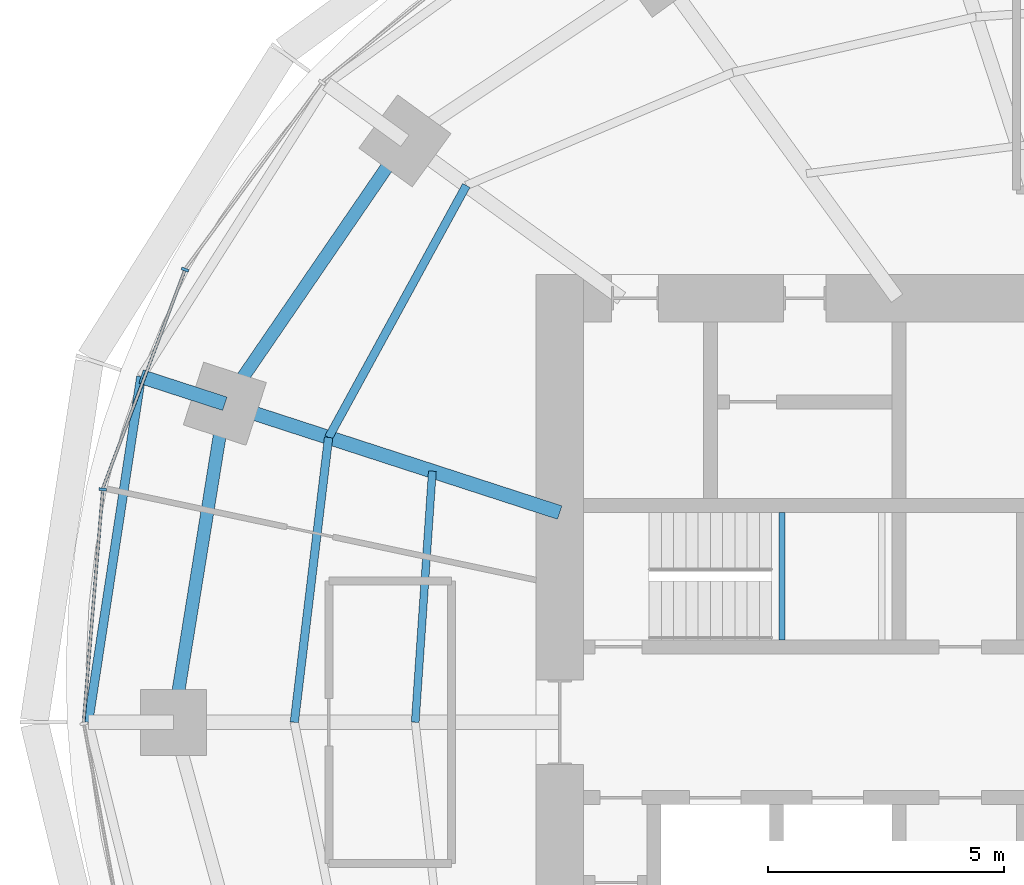
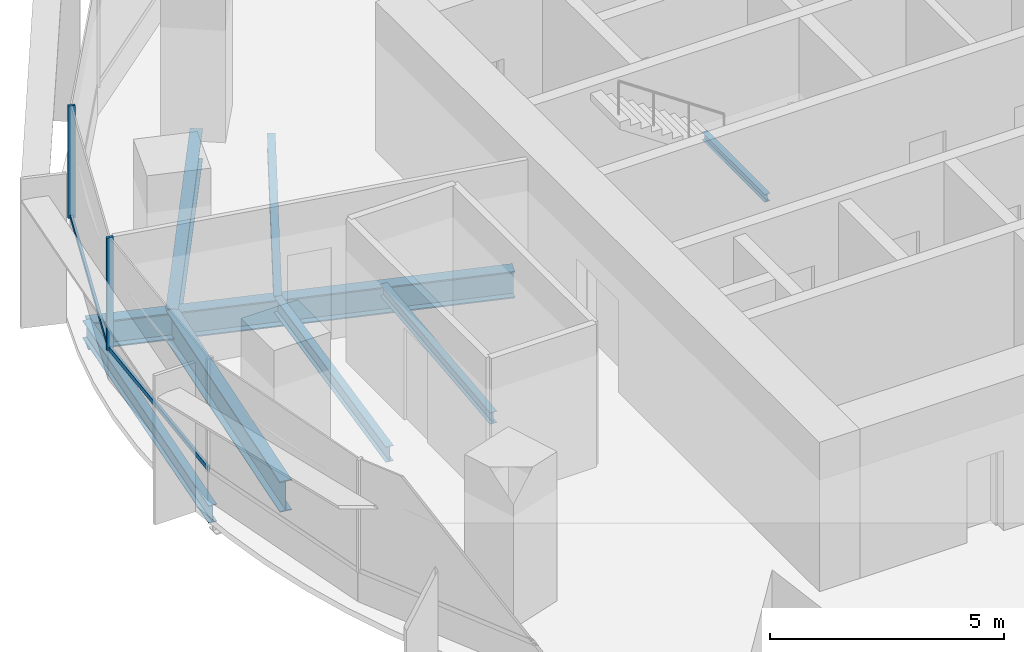
# One storey, part 4 of 14: 9 beams, 4 members, 1 element without a shape of its own.
"""IFC4 building model written with IfcOpenShell, lengths in metres."""

from ifc_helpers import new_model, si_unit, direction, frame, origin, origin_2d, place, context, subcontext, project, spatial, rectangle, i_section, extrude, material, material_profile, profile_set, type_object, element, aggregate, save


model = new_model("IFC4")

# Units and contexts
model_context = context("Model", 3, precision=1e-05, world=origin(), true_north=direction((0.0, 1.0)))
body_context = subcontext(model_context, "Body", "Model", "MODEL_VIEW")
ifc_project = project(units=[si_unit("LENGTHUNIT", "METRE"), si_unit("AREAUNIT", "SQUARE_METRE"), si_unit("VOLUMEUNIT", "CUBIC_METRE"), si_unit("PLANEANGLEUNIT", "RADIAN"), si_unit("MASSUNIT", "GRAM", prefix="KILO")], contexts=[model_context])

# Site, building, storey
site_placement = place(None, origin())
site = spatial("IfcSite", under=ifc_project, at=site_placement, CompositionType="ELEMENT")
building_placement = place(site_placement, origin())
building = spatial("IfcBuilding", under=site, at=building_placement, Name="Marramba Exchange Tower", CompositionType="ELEMENT")
storey_placement = place(building_placement, frame((0.0, 0.0, 218.89990234375)))
storey = spatial("IfcBuildingStorey", under=building, at=storey_placement, Name="L53", CompositionType="ELEMENT", Elevation=218.89990234375)

# Beams
ifc_material_1 = material(Name="Steel AS/NZS 3679.2 grade 300", Category="steel")
ifc_material_profile_1 = material_profile(ifc_material_1, i_section(OverallWidth=0.300048828125, OverallDepth=0.699951171875, WebThickness=0.010009765625, FlangeThickness=0.031982421875, at=origin_2d()), Name="700WB173")
ifc_profile_set_1 = profile_set([ifc_material_profile_1], Name="Steel AS/NZS 3679.2 grade 300")
beam_type_1 = type_object("IfcBeamType", Name="Cantilever girder 700WB173", PredefinedType="BEAM", material=ifc_profile_set_1)
beam_1_placement = place(storey_placement, frame((-20.808349609375, 6.760986328125, -0.510009765625), z_axis=(-0.951047511993, 0.309044705395, 0.0), x_axis=(-0.309044705395, -0.951047511993, 0.0)))
element("IfcBeam", 1, at=beam_1_placement, inside=storey, type_object=beam_type_1, Name="Cantilever girder L53 TC10", PredefinedType="BEAM", context=body_context, shape_type="SweptSolid", body=[
    extrude(i_section(OverallWidth=0.300048828125, OverallDepth=0.699951171875, WebThickness=0.010009765625, FlangeThickness=0.031982421875, at=origin_2d()), origin(), (0.0, 0.0, 1.0), 1.868408203125),
])
ifc_material_2 = material(Name="Steel AS/NZS 3679.1 grade 300", Category="steel")
ifc_material_profile_2 = material_profile(ifc_material_2, i_section(OverallWidth=0.166015625, OverallDepth=0.306884765625, WebThickness=0.006591796875, FlangeThickness=0.01171875, FilletRadius=0.011474609375, at=origin_2d()), Name="310UB46.2")
ifc_profile_set_2 = profile_set([ifc_material_profile_2], Name="Steel AS/NZS 3679.1 grade 300")
beam_type_2 = type_object("IfcBeamType", Name="Floor joist 310UB46.2", PredefinedType="JOIST", material=ifc_profile_set_2)
beam_2_placement = place(storey_placement, frame((-16.40283203125, 5.32958984375, -0.3134765625), z_axis=(-0.068096259546, -0.99767875563, 0.0), x_axis=(0.99767875563, -0.068096259546, 0.0)))
element("IfcBeam", 2, at=beam_2_placement, inside=storey, type_object=beam_type_2, Name="Joist L53 bay 10 row 1", PredefinedType="JOIST", context=body_context, shape_type="SweptSolid", body=[
    extrude(i_section(OverallWidth=0.166015625, OverallDepth=0.306884765625, WebThickness=0.006591796875, FlangeThickness=0.01171875, FilletRadius=0.011474609375, at=origin_2d()), origin(), (0.0, 0.0, 1.0), 5.342041015625),
])
ifc_material_profile_3 = material_profile(ifc_material_2, i_section(OverallWidth=0.177978515625, OverallDepth=0.406005859375, WebThickness=0.0078125, FlangeThickness=0.0126953125, FilletRadius=0.011474609375, at=origin_2d()), Name="410UB59.7")
ifc_profile_set_3 = profile_set([ifc_material_profile_3], Name="Steel AS/NZS 3679.1 grade 300")
beam_type_3 = type_object("IfcBeamType", Name="Floor joist 410UB59.7", PredefinedType="JOIST", material=ifc_profile_set_3)
beam_3_placement = place(storey_placement, frame((-15.682373046875, 11.393798828125, -0.36279296875), z_axis=(-0.479584443791, -0.877495732909, 0.0), x_axis=(0.877495732909, -0.479584443791, 0.0)))
element("IfcBeam", 3, at=beam_3_placement, inside=storey, type_object=beam_type_3, Name="Joist L53 bay 09 row 2", PredefinedType="JOIST", context=body_context, shape_type="SweptSolid", body=[
    extrude(i_section(OverallWidth=0.177978515625, OverallDepth=0.406005859375, WebThickness=0.0078125, FlangeThickness=0.0126953125, FilletRadius=0.011474609375, at=origin_2d()), origin(), (0.0, 0.0, 1.0), 6.094970703125),
])
beam_4_placement = place(storey_placement, frame((-18.60546875, 6.04541015625, -0.36279296875), z_axis=(-0.119523078538, -0.992831422597, 0.0), x_axis=(0.992831422597, -0.119523078538, 0.0)))
element("IfcBeam", 4, at=beam_4_placement, inside=storey, type_object=beam_type_3, Name="Joist L53 bay 10 row 2", PredefinedType="JOIST", context=body_context, shape_type="SweptSolid", body=[
    extrude(i_section(OverallWidth=0.177978515625, OverallDepth=0.406005859375, WebThickness=0.0078125, FlangeThickness=0.0126953125, FilletRadius=0.011474609375, at=origin_2d()), origin(), (0.0, 0.0, 1.0), 6.089111328125),
])

# Curtain wall, members
ifc_material_3 = material(Name="Aluminium framing, bronze anodised", Category="aluminium")
curtain_wall_type = type_object("IfcCurtainWallType", Name="Office ribbon curtain wall", PredefinedType="USERDEFINED", material=ifc_material_3)
curtain_wall_placement = place(storey_placement, origin())
curtain_wall = element("IfcCurtainWall", 5, at=curtain_wall_placement, inside=storey, type_object=curtain_wall_type, Name="Curtain wall CW4 L53 F11-F15", ObjectType="RIBBON CURTAIN WALL", PredefinedType="USERDEFINED")
ifc_material_4 = material(Name="Aluminium mullion, bronze anodised", Category="aluminium")
ifc_material_profile_4 = material_profile(ifc_material_4, rectangle(XDim=0.159912109375, YDim=0.06005859375, at=origin_2d()), Name="CW4 mullion 60x160")
ifc_profile_set_4 = profile_set([ifc_material_profile_4], Name="Aluminium mullion, bronze anodised")
member_type_1 = type_object("IfcMemberType", Name="Office ribbon curtain wall mullion", PredefinedType="MULLION", material=ifc_profile_set_4)
member_1_placement = place(storey_placement, frame((-21.65283203125, 9.607666015625, 0.800048828125), z_axis=(0.0, 0.0, 1.0), x_axis=(0.936018231909, -0.351951515885, 0.0)))
member_1 = element("IfcMember", 6, at=member_1_placement, type_object=member_type_1, Name="CW4 mullion 1", PredefinedType="MULLION", context=body_context, shape_type="SweptSolid", body=[
    extrude(rectangle(XDim=0.159912109375, YDim=0.06005859375, at=origin_2d()), origin(), (0.0, 0.0, 1.0), 2.93994140625),
])
member_2_placement = place(storey_placement, frame((-23.39794921875, 4.94287109375, 0.800048828125), z_axis=(0.0, 0.0, 1.0), x_axis=(0.996609178714, -0.082280890264, 0.0)))
member_2 = element("IfcMember", 7, at=member_2_placement, type_object=member_type_1, Name="CW4 mullion 1", PredefinedType="MULLION", context=body_context, shape_type="SweptSolid", body=[
    extrude(rectangle(XDim=0.159912109375, YDim=0.06005859375, at=origin_2d()), origin(), (0.0, 0.0, 1.0), 2.93994140625),
])
ifc_material_5 = material(Name="Aluminium transom, bronze anodised", Category="aluminium")
ifc_material_profile_5 = material_profile(ifc_material_5, rectangle(XDim=0.06005859375, YDim=0.1201171875, at=origin_2d()), Name="CW4 transom 60x120")
ifc_profile_set_5 = profile_set([ifc_material_profile_5], Name="Aluminium transom, bronze anodised")
member_type_2 = type_object("IfcMemberType", Name="Office ribbon curtain wall transom", PredefinedType="USERDEFINED", material=ifc_profile_set_5)
member_3_placement = place(storey_placement, frame((-21.663330078125, 9.57958984375, 0.830078125), z_axis=(-0.351955054115, -0.936016901494, 0.0), x_axis=(0.936016901494, -0.351955054115, 0.0)))
member_3 = element("IfcMember", 8, at=member_3_placement, type_object=member_type_2, Name="CW4 sill transom", ObjectType="TRANSOM", PredefinedType="USERDEFINED", context=body_context, shape_type="SweptSolid", body=[
    extrude(rectangle(XDim=0.06005859375, YDim=0.1201171875, at=origin_2d()), origin(), (0.0, 0.0, 1.0), 4.921630859375),
])
member_4_placement = place(storey_placement, frame((-23.400390625, 4.9130859375, 0.830078125), z_axis=(-0.082258542539, -0.996611023509, 0.0), x_axis=(0.996611023509, -0.082258542539, 0.0)))
member_4 = element("IfcMember", 9, at=member_4_placement, type_object=member_type_2, Name="CW4 sill transom", ObjectType="TRANSOM", PredefinedType="USERDEFINED", context=body_context, shape_type="SweptSolid", body=[
    extrude(rectangle(XDim=0.06005859375, YDim=0.1201171875, at=origin_2d()), origin(), (0.0, 0.0, 1.0), 4.9296875),
])
aggregate(curtain_wall, [member_1, member_3, member_2, member_4])

# Beams
ifc_material_profile_6 = material_profile(ifc_material_1, i_section(OverallWidth=0.300048828125, OverallDepth=0.699951171875, WebThickness=0.010009765625, FlangeThickness=0.031982421875, at=origin_2d()), Name="700WB173")
ifc_profile_set_6 = profile_set([ifc_material_profile_6], Name="Steel AS/NZS 3679.2 grade 300")
beam_type_4 = type_object("IfcBeamType", Name="Radial girder 700WB173", PredefinedType="BEAM", material=ifc_profile_set_6)
beam_5_placement = place(storey_placement, frame((-13.699951171875, 4.451416015625, -0.510009765625), z_axis=(-0.951059990189, 0.309006302624, 0.0), x_axis=(-0.309006302624, -0.951059990189, 0.0)))
element("IfcBeam", 10, at=beam_5_placement, inside=storey, type_object=beam_type_4, Name="Radial girder L53 TC10", PredefinedType="BEAM", context=body_context, shape_type="SweptSolid", body=[
    extrude(i_section(OverallWidth=0.300048828125, OverallDepth=0.699951171875, WebThickness=0.010009765625, FlangeThickness=0.031982421875, at=origin_2d()), origin(), (0.0, 0.0, 1.0), 7.47412109375),
])
ifc_material_profile_7 = material_profile(ifc_material_1, i_section(OverallWidth=0.27490234375, OverallDepth=0.800048828125, WebThickness=0.010009765625, FlangeThickness=0.02490234375, at=origin_2d()), Name="800WB168")
ifc_profile_set_7 = profile_set([ifc_material_profile_7], Name="Steel AS/NZS 3679.2 grade 300")
beam_type_5 = type_object("IfcBeamType", Name="Ring beam 800WB168", PredefinedType="SPANDREL", material=ifc_profile_set_7)
beam_6_placement = place(storey_placement, frame((-16.98583984375, 12.3408203125, -0.559814453125), z_axis=(-0.56516002054, -0.824981303535, 0.0), x_axis=(0.824981303535, -0.56516002054, 0.0)))
element("IfcBeam", 11, at=beam_6_placement, inside=storey, type_object=beam_type_5, Name="Ring beam L53 TC09-TC10", PredefinedType="SPANDREL", context=body_context, shape_type="SweptSolid", body=[
    extrude(i_section(OverallWidth=0.27490234375, OverallDepth=0.800048828125, WebThickness=0.010009765625, FlangeThickness=0.02490234375, at=origin_2d()), origin(), (0.0, 0.0, 1.0), 6.763671875),
])
beam_7_placement = place(storey_placement, frame((-20.808349609375, 6.760986328125, -0.559814453125), z_axis=(-0.159384865399, -0.987216523708, 0.0), x_axis=(0.987216523708, -0.159384865399, 0.0)))
element("IfcBeam", 12, at=beam_7_placement, inside=storey, type_object=beam_type_5, Name="Ring beam L53 TC10-TC11", PredefinedType="SPANDREL", context=body_context, shape_type="SweptSolid", body=[
    extrude(i_section(OverallWidth=0.27490234375, OverallDepth=0.800048828125, WebThickness=0.010009765625, FlangeThickness=0.02490234375, at=origin_2d()), origin(), (0.0, 0.0, 1.0), 6.8486328125),
])
ifc_material_profile_8 = material_profile(ifc_material_2, i_section(OverallWidth=0.19091796875, OverallDepth=0.4599609375, WebThickness=0.010009765625, FlangeThickness=0.01611328125, FilletRadius=0.011474609375, at=origin_2d()), Name="460UB82.1")
ifc_profile_set_8 = profile_set([ifc_material_profile_8], Name="Steel AS/NZS 3679.1 grade 300")
beam_type_6 = type_object("IfcBeamType", Name="Slab edge beam 460UB82.1", PredefinedType="SPANDREL", material=ifc_profile_set_8)
beam_8_placement = place(storey_placement, frame((-22.585205078125, 7.33837890625, -0.389892578125), z_axis=(-0.150987012186, -0.988535746522, 0.0), x_axis=(0.988535746522, -0.150987012186, 0.0)))
element("IfcBeam", 13, at=beam_8_placement, inside=storey, type_object=beam_type_6, Name="Slab edge beam L53 TC10-TC11", PredefinedType="SPANDREL", context=body_context, shape_type="SweptSolid", body=[
    extrude(i_section(OverallWidth=0.19091796875, OverallDepth=0.4599609375, WebThickness=0.010009765625, FlangeThickness=0.01611328125, FilletRadius=0.011474609375, at=origin_2d()), origin(), (0.0, 0.0, 1.0), 7.423583984375),
])
ifc_material_profile_9 = material_profile(ifc_material_2, i_section(OverallWidth=0.133056640625, OverallDepth=0.202880859375, WebThickness=0.005859375, FlangeThickness=0.0078125, FilletRadius=0.0087890625, at=origin_2d()), Name="200UB25.4")
ifc_profile_set_9 = profile_set([ifc_material_profile_9], Name="Steel AS/NZS 3679.1 grade 300")
beam_type_7 = type_object("IfcBeamType", Name="Stair landing beam 200UB25.4", PredefinedType="BEAM", material=ifc_profile_set_9)
beam_9_placement = place(storey_placement, frame((-8.9833984375, 1.75, 1.648681640625), z_axis=(0.0, 1.0, 0.0), x_axis=(-1.0, 0.0, 0.0)))
element("IfcBeam", 14, at=beam_9_placement, inside=storey, type_object=beam_type_7, Name="Stair landing beam SLB1 ST1 L53 1", PredefinedType="BEAM", context=body_context, shape_type="SweptSolid", body=[
    extrude(i_section(OverallWidth=0.133056640625, OverallDepth=0.202880859375, WebThickness=0.005859375, FlangeThickness=0.0078125, FilletRadius=0.0087890625, at=origin_2d()), origin(), (0.0, 0.0, 1.0), 2.699951171875),
])

save(model, "model.ifc")
